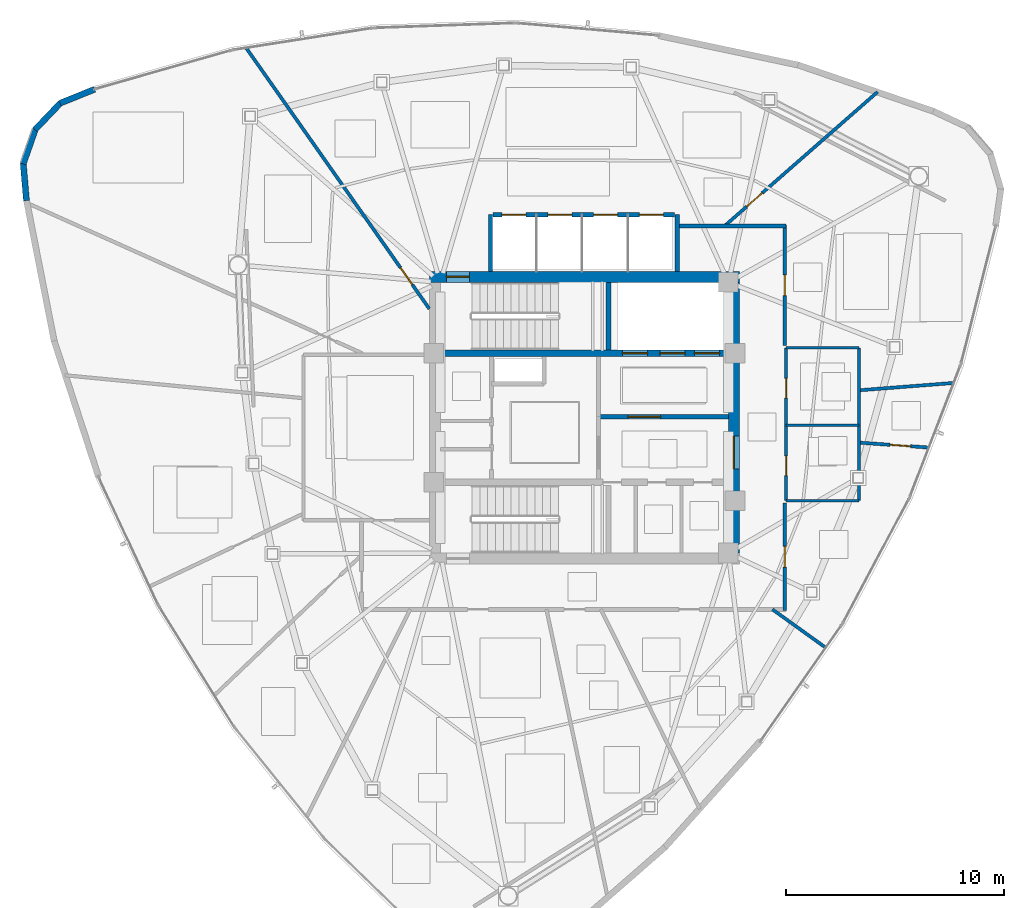
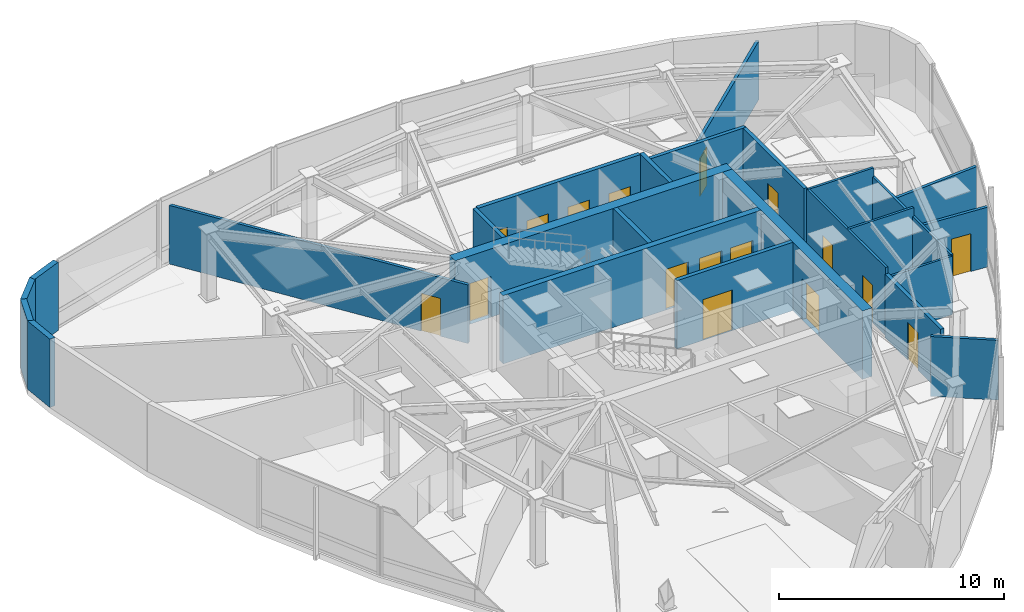
# One storey, part 9 of 12: 25 walls, 17 doors, 17 openings.
"""IFC4 building model written with IfcOpenShell, lengths in metres."""

from ifc_helpers import new_model, si_unit, direction, frame, frame_2d, origin, place, context, subcontext, project, spatial, rectangle, extrude, material, layer, layer_set, type_object, element, fill, save


model = new_model("IFC4")

# Units and contexts
model_context = context("Model", 3, precision=1e-05, world=origin(), true_north=direction((0.0, 1.0)))
body_context = subcontext(model_context, "Body", "Model", "MODEL_VIEW")
ifc_project = project(units=[si_unit("LENGTHUNIT", "METRE"), si_unit("AREAUNIT", "SQUARE_METRE"), si_unit("VOLUMEUNIT", "CUBIC_METRE"), si_unit("PLANEANGLEUNIT", "RADIAN"), si_unit("MASSUNIT", "GRAM", prefix="KILO")], contexts=[model_context])

# Site, building, storey
site_placement = place(None, origin())
site = spatial("IfcSite", under=ifc_project, at=site_placement, CompositionType="ELEMENT")
building_placement = place(site_placement, origin())
building = spatial("IfcBuilding", under=site, at=building_placement, Name="Tavelor Broadcast Tower", CompositionType="ELEMENT")
storey_placement = place(building_placement, frame((0.0, 0.0, 289.5)))
storey = spatial("IfcBuildingStorey", under=building, at=storey_placement, Name="L69", CompositionType="ELEMENT", Elevation=289.5)

# Wall, opening, door
ifc_material_1 = material(Name="Concrete C50/60", Category="concrete")
ifc_layer_1 = layer(ifc_material_1, 0.5)
ifc_layer_set_1 = layer_set([ifc_layer_1], Name="Concrete C50/60")
wall_type_1 = type_object("IfcWallType", Name="Core Shear Wall 500 mm", PredefinedType="SHEAR", material=ifc_layer_set_1)
wall_1_placement = place(storey_placement, frame((42.89990234375, 51.449951171875, 0.0), z_axis=(0.0, 0.0, 1.0), x_axis=(1.0, 0.0, 0.0)))
wall_1 = element("IfcWall", 1, at=wall_1_placement, inside=storey, type_object=wall_type_1, Name="L69 Central Core Shear Wall N", PredefinedType="SHEAR", context=body_context, shape_type="SweptSolid", body=[
    extrude(rectangle(XDim=14.2001953125, YDim=0.5, at=frame_2d((7.10009765625, 0.0))), origin(), (0.0, 0.0, 1.0), 3.699951171875),
])
opening_1_placement = place(wall_1_placement, frame((0.780029296875, 0.0, 0.0)))
opening_1 = element("IfcOpeningElement", 2, at=opening_1_placement, cuts=wall_1, Name="Opening DR11", PredefinedType="OPENING", context=body_context, shape_type="SweptSolid", body=[
    extrude(rectangle(XDim=1.050048828125, YDim=2.199951171875, at=frame_2d((0.52490234375, 1.10009765625))), frame((0.0, 0.260009765625, 0.0), z_axis=(0.0, -1.0, 0.0), x_axis=(1.0, 0.0, 0.0)), (0.0, 0.0, 1.0), 0.52001953125),
])
ifc_material_2 = material(Name="Steel S355", Category="steel")
door_type_1 = type_object("IfcDoorType", Name="Stair Core Fire Escape Door 1050x2200", OperationType="NOTDEFINED", PredefinedType="DOOR", material=ifc_material_2)
door_1_placement = place(opening_1_placement, origin())
door_1 = element("IfcDoor", 3, at=door_1_placement, inside=storey, type_object=door_type_1, Name="L69 Stair ST1 Protected Exit Door", OperationType="SINGLE_SWING_LEFT", OverallHeight=2.199951171875, OverallWidth=1.050048828125, PredefinedType="DOOR", context=body_context, shape_type="SweptSolid", body=[
    extrude(rectangle(XDim=1.050048828125, YDim=2.199951171875, at=frame_2d((0.52490234375, 1.10009765625))), frame((0.0, 0.02490234375, 0.0), z_axis=(0.0, -1.0, 0.0), x_axis=(1.0, 0.0, 0.0)), (0.0, 0.0, 1.0), 0.050048828125),
])
fill(opening_1, door_1)

wall_2_placement = place(storey_placement, frame((56.85009765625, 38.800048828125, 0.0), z_axis=(0.0, 0.0, 1.0), x_axis=(0.0, 1.0, 0.0)))
wall_2 = element("IfcWall", 4, at=wall_2_placement, inside=storey, type_object=wall_type_1, Name="L69 Central Core Shear Wall E", PredefinedType="SHEAR", context=body_context, shape_type="SweptSolid", body=[
    extrude(rectangle(XDim=12.39990234375, YDim=0.5, at=frame_2d((6.199951171875, 0.0))), origin(), (0.0, 0.0, 1.0), 3.699951171875),
])
opening_2_placement = place(wall_2_placement, frame((3.85009765625, 0.0, 0.0)))
opening_2 = element("IfcOpeningElement", 5, at=opening_2_placement, cuts=wall_2, Name="Opening DR14", PredefinedType="OPENING", context=body_context, shape_type="SweptSolid", body=[
    extrude(rectangle(XDim=1.5, YDim=2.199951171875, at=frame_2d((0.75, 1.10009765625))), frame((0.0, 0.260009765625, 0.0), z_axis=(0.0, -1.0, 0.0), x_axis=(1.0, 0.0, 0.0)), (0.0, 0.0, 1.0), 0.52001953125),
])
door_type_2 = type_object("IfcDoorType", Name="Firefighting Lobby Double Fire Door 1500x2200", OperationType="NOTDEFINED", PredefinedType="DOOR", material=ifc_material_2)
door_2_placement = place(opening_2_placement, origin())
door_2 = element("IfcDoor", 6, at=door_2_placement, inside=storey, type_object=door_type_2, Name="L69 Central Core Lobby Fire Door", OperationType="SINGLE_SWING_RIGHT", OverallHeight=2.199951171875, OverallWidth=1.5, PredefinedType="DOOR", context=body_context, shape_type="SweptSolid", body=[
    extrude(rectangle(XDim=1.5, YDim=2.199951171875, at=frame_2d((0.75, 1.10009765625))), frame((0.0, 0.02490234375, 0.0), z_axis=(0.0, -1.0, 0.0), x_axis=(1.0, 0.0, 0.0)), (0.0, 0.0, 1.0), 0.050048828125),
])
fill(opening_2, door_2)

# Wall, openings, doors
ifc_layer_2 = layer(ifc_material_1, 0.300048828125)
ifc_layer_set_2 = layer_set([ifc_layer_2], Name="Concrete C50/60")
wall_type_2 = type_object("IfcWallType", Name="Core Spine Shear Wall 300 mm C50", PredefinedType="SHEAR", material=ifc_layer_set_2)
wall_3_placement = place(storey_placement, frame((43.39990234375, 47.949951171875, 0.0), z_axis=(0.0, 0.0, 1.0), x_axis=(1.0, 0.0, 0.0)))
wall_3 = element("IfcWall", 7, at=wall_3_placement, inside=storey, type_object=wall_type_2, Name="L69 Central Core Shear Wall SP1", PredefinedType="SHEAR", context=body_context, shape_type="SweptSolid", body=[
    extrude(rectangle(XDim=13.2001953125, YDim=0.300048828125, at=frame_2d((6.60009765625, 0.0))), origin(), (0.0, 0.0, 1.0), 3.699951171875),
])
opening_3_placement = place(wall_3_placement, frame((8.344970703125, 0.0, 0.0)))
opening_3 = element("IfcOpeningElement", 8, at=opening_3_placement, cuts=wall_3, Name="Opening LD02", PredefinedType="OPENING", context=body_context, shape_type="SweptSolid", body=[
    extrude(rectangle(XDim=1.14990234375, YDim=2.199951171875, at=frame_2d((0.574951171875, 1.10009765625))), frame((0.0, 0.16015625, 0.0), z_axis=(0.0, -1.0, 0.0), x_axis=(1.0, 0.0, 0.0)), (0.0, 0.0, 1.0), 0.320068359375),
])
opening_4_placement = place(wall_3_placement, frame((10.06494140625, 0.0, 0.0)))
opening_4 = element("IfcOpeningElement", 9, at=opening_4_placement, cuts=wall_3, Name="Opening LD02", PredefinedType="OPENING", context=body_context, shape_type="SweptSolid", body=[
    extrude(rectangle(XDim=1.14990234375, YDim=2.199951171875, at=frame_2d((0.574951171875, 1.10009765625))), frame((0.0, 0.16015625, 0.0), z_axis=(0.0, -1.0, 0.0), x_axis=(1.0, 0.0, 0.0)), (0.0, 0.0, 1.0), 0.320068359375),
])
opening_5_placement = place(wall_3_placement, frame((11.64501953125, 0.0, 0.0)))
opening_5 = element("IfcOpeningElement", 10, at=opening_5_placement, cuts=wall_3, Name="Opening LD03", PredefinedType="OPENING", context=body_context, shape_type="SweptSolid", body=[
    extrude(rectangle(XDim=1.14990234375, YDim=2.199951171875, at=frame_2d((0.574951171875, 1.10009765625))), frame((0.0, 0.16015625, 0.0), z_axis=(0.0, -1.0, 0.0), x_axis=(1.0, 0.0, 0.0)), (0.0, 0.0, 1.0), 0.320068359375),
])
ifc_material_3 = material(Name="Reinforced Brushed Stainless Steel", Category="concrete")
door_type_3 = type_object("IfcDoorType", Name="Broadcast Goods Lift Sliding Landing Door 1250x2200", OperationType="NOTDEFINED", PredefinedType="DOOR", material=ifc_material_3)
door_3_placement = place(opening_5_placement, origin())
door_3 = element("IfcDoor", 11, at=door_3_placement, inside=storey, type_object=door_type_3, Name="L69 Lift SVL1 Sliding Landing Door", OperationType="SLIDING_TO_LEFT", OverallHeight=2.199951171875, OverallWidth=1.14990234375, PredefinedType="DOOR", context=body_context, shape_type="SweptSolid", body=[
    extrude(rectangle(XDim=1.14990234375, YDim=2.199951171875, at=frame_2d((0.574951171875, 1.10009765625))), frame((0.0, 0.02490234375, 0.0), z_axis=(0.0, -1.0, 0.0), x_axis=(1.0, 0.0, 0.0)), (0.0, 0.0, 1.0), 0.050048828125),
])
fill(opening_5, door_3)
ifc_material_4 = material(Name="Fire-Rated Stainless Steel", Category="steel")
door_type_4 = type_object("IfcDoorType", Name="Firefighting Lift Sliding Landing Door 1200x2200", OperationType="NOTDEFINED", PredefinedType="DOOR", material=ifc_material_4)
door_4_placement = place(opening_3_placement, origin())
door_4 = element("IfcDoor", 12, at=door_4_placement, inside=storey, type_object=door_type_4, Name="L69 Lift FFL1 Sliding Landing Door", OperationType="SLIDING_TO_LEFT", OverallHeight=2.199951171875, OverallWidth=1.14990234375, PredefinedType="DOOR", context=body_context, shape_type="SweptSolid", body=[
    extrude(rectangle(XDim=1.14990234375, YDim=2.199951171875, at=frame_2d((0.574951171875, 1.10009765625))), frame((0.0, 0.02490234375, 0.0), z_axis=(0.0, -1.0, 0.0), x_axis=(1.0, 0.0, 0.0)), (0.0, 0.0, 1.0), 0.050048828125),
])
fill(opening_3, door_4)
door_5_placement = place(opening_4_placement, origin())
door_5 = element("IfcDoor", 13, at=door_5_placement, inside=storey, type_object=door_type_4, Name="L69 Lift FFL2 Sliding Landing Door", OperationType="SLIDING_TO_LEFT", OverallHeight=2.199951171875, OverallWidth=1.14990234375, PredefinedType="DOOR", context=body_context, shape_type="SweptSolid", body=[
    extrude(rectangle(XDim=1.14990234375, YDim=2.199951171875, at=frame_2d((0.574951171875, 1.10009765625))), frame((0.0, 0.02490234375, 0.0), z_axis=(0.0, -1.0, 0.0), x_axis=(1.0, 0.0, 0.0)), (0.0, 0.0, 1.0), 0.050048828125),
])
fill(opening_4, door_5)

# Wall
ifc_material_5 = material(Name="Calcium Silicate Fire Board 180 mm", Category="gypsum")
ifc_layer_3 = layer(ifc_material_5, 0.179931640625)
ifc_layer_set_3 = layer_set([ifc_layer_3], Name="Calcium Silicate Fire Board 180 mm")
wall_type_3 = type_object("IfcWallType", Name="Fire-Rated Corridor Partition Wall 180 mm", PredefinedType="PARTITIONING", material=ifc_layer_set_3)
wall_4_placement = place(storey_placement, frame((54.300048828125, 53.780029296875, 0.0), z_axis=(0.0, 0.0, 1.0), x_axis=(1.0, 0.0, 0.0)))
element("IfcWall", 14, at=wall_4_placement, inside=storey, type_object=wall_type_3, Name="L69 Corridor Compartment Wall 01", PredefinedType="PARTITIONING", context=body_context, shape_type="SweptSolid", body=[
    extrude(rectangle(XDim=4.929931640625, YDim=0.179931640625, at=frame_2d((2.46484375, 0.0))), origin(), (0.0, 0.0, 1.0), 3.699951171875),
])

# Wall, opening, door
wall_5_placement = place(storey_placement, frame((59.179931640625, 53.830078125, 0.0), z_axis=(0.0, 0.0, 1.0), x_axis=(0.0, -1.0, 0.0)))
wall_5 = element("IfcWall", 15, at=wall_5_placement, inside=storey, type_object=wall_type_3, Name="L69 Corridor Compartment Wall 02", PredefinedType="PARTITIONING", context=body_context, shape_type="SweptSolid", body=[
    extrude(rectangle(XDim=5.530029296875, YDim=0.179931640625, at=frame_2d((2.76513671875, 0.0))), origin(), (0.0, 0.0, 1.0), 3.699951171875),
])
opening_6_placement = place(wall_5_placement, frame((2.2900390625, 0.0, 0.0)))
opening_6 = element("IfcOpeningElement", 16, at=opening_6_placement, cuts=wall_5, Name="Opening DR18", PredefinedType="OPENING", context=body_context, shape_type="SweptSolid", body=[
    extrude(rectangle(XDim=0.949951171875, YDim=2.050048828125, at=frame_2d((0.47509765625, 1.02490234375))), frame((0.0, 0.10009765625, 0.0), z_axis=(0.0, -1.0, 0.0), x_axis=(1.0, 0.0, 0.0)), (0.0, 0.0, 1.0), 0.199951171875),
])
ifc_material_6 = material(Name="Timber Solid Core Hardwood", Category="wood")
door_type_5 = type_object("IfcDoorType", Name="Corridor Rated Compartment Door 950x2050", OperationType="NOTDEFINED", PredefinedType="DOOR", material=ifc_material_6)
door_6_placement = place(opening_6_placement, origin())
door_6 = element("IfcDoor", 17, at=door_6_placement, inside=storey, type_object=door_type_5, Name="L69 Broadcast Crew Room Door R10", OperationType="SINGLE_SWING_RIGHT", OverallHeight=2.050048828125, OverallWidth=0.949951171875, PredefinedType="DOOR", context=body_context, shape_type="SweptSolid", body=[
    extrude(rectangle(XDim=0.949951171875, YDim=2.050048828125, at=frame_2d((0.47509765625, 1.02490234375))), frame((0.0, 0.02490234375, 0.0), z_axis=(0.0, -1.0, 0.0), x_axis=(1.0, 0.0, 0.0)), (0.0, 0.0, 1.0), 0.050048828125),
])
fill(opening_6, door_6)

wall_6_placement = place(storey_placement, frame((59.179931640625, 41.10009765625, 0.0), z_axis=(0.0, 0.0, 1.0), x_axis=(0.0, -1.0, 0.0)))
wall_6 = element("IfcWall", 18, at=wall_6_placement, inside=storey, type_object=wall_type_3, Name="L69 Corridor Compartment Wall 03", PredefinedType="PARTITIONING", context=body_context, shape_type="SweptSolid", body=[
    extrude(rectangle(XDim=4.93017578125, YDim=0.179931640625, at=frame_2d((2.465087890625, 0.0))), origin(), (0.0, 0.0, 1.0), 3.43505859375),
])
opening_7_placement = place(wall_6_placement, frame((1.989990234375, 0.0, 0.0)))
opening_7 = element("IfcOpeningElement", 19, at=opening_7_placement, cuts=wall_6, Name="Opening DR18", PredefinedType="OPENING", context=body_context, shape_type="SweptSolid", body=[
    extrude(rectangle(XDim=0.949951171875, YDim=2.050048828125, at=frame_2d((0.47509765625, 1.02490234375))), frame((0.0, 0.10009765625, 0.0), z_axis=(0.0, -1.0, 0.0), x_axis=(1.0, 0.0, 0.0)), (0.0, 0.0, 1.0), 0.199951171875),
])
door_7_placement = place(opening_7_placement, origin())
door_7 = element("IfcDoor", 20, at=door_7_placement, inside=storey, type_object=door_type_5, Name="L69 Broadcast Editorial Office Door R0", OperationType="SINGLE_SWING_LEFT", OverallHeight=2.050048828125, OverallWidth=0.949951171875, PredefinedType="DOOR", context=body_context, shape_type="SweptSolid", body=[
    extrude(rectangle(XDim=0.949951171875, YDim=2.050048828125, at=frame_2d((0.47509765625, 1.02490234375))), frame((0.0, 0.02490234375, 0.0), z_axis=(0.0, -1.0, 0.0), x_axis=(1.0, 0.0, 0.0)), (0.0, 0.0, 1.0), 0.050048828125),
])
fill(opening_7, door_7)

# Walls
ifc_material_7 = material(Name="Precast Concrete C40/50", Category="concrete")
ifc_layer_4 = layer(ifc_material_7, 0.280029296875)
ifc_layer_set_4 = layer_set([ifc_layer_4], Name="Precast Concrete C40/50")
wall_type_4 = type_object("IfcWallType", Name="Insulated Precast Terracotta Facade Wall 280 mm", PredefinedType="STANDARD", material=ifc_layer_set_4)
wall_7_placement = place(storey_placement, frame((27.56494140625, 60.0458984375, 0.0), z_axis=(0.0, 0.0, 1.0), x_axis=(-0.92687925462, -0.375359624034, 0.0)))
element("IfcWall", 21, at=wall_7_placement, inside=storey, type_object=wall_type_4, Name="L69 Rounded Corner Structural Cladding Pier 01", PredefinedType="STANDARD", context=body_context, shape_type="SweptSolid", body=[
    extrude(rectangle(XDim=1.7060546875, YDim=0.280029296875, at=frame_2d((0.85302734375, 0.0))), origin(), (0.0, 0.0, 1.0), 3.699951171875),
])
for number, where, z_axis, x_axis, name in (
    (22, (26.0078125, 59.421875, 0.0), (0.0, 0.0, 1.0), (-0.690194678678, -0.723623732008, 0.0), "L69 Rounded Corner Structural Cladding Pier 02"),
    (23, (24.853515625, 58.220703125, 0.0), (0.0, 0.0, 1.0), (-0.331402801072, -0.943489365834, 0.0), "L69 Rounded Corner Structural Cladding Pier 03"),
):
    element("IfcWall", number, at=place(storey_placement, frame(where, z_axis=z_axis, x_axis=x_axis)), inside=storey, type_object=wall_type_4, Name=name, PredefinedType="STANDARD", context=body_context, shape_type="SweptSolid", body=[
        extrude(rectangle(XDim=1.6943359375, YDim=0.280029296875, at=frame_2d((0.84716796875, 0.0))), origin(), (0.0, 0.0, 1.0), 3.699951171875),
    ])
wall_8_placement = place(storey_placement, frame((24.2958984375, 56.651123046875, 0.0), z_axis=(0.0, 0.0, 1.0), x_axis=(0.086175515614, -0.996279970946, 0.0)))
element("IfcWall", 24, at=wall_8_placement, inside=storey, type_object=wall_type_4, Name="L69 Rounded Corner Structural Cladding Pier 04", PredefinedType="STANDARD", context=body_context, shape_type="SweptSolid", body=[
    extrude(rectangle(XDim=1.716796875, YDim=0.280029296875, at=frame_2d((0.8583984375, 0.0))), origin(), (0.0, 0.0, 1.0), 3.699951171875),
])
ifc_material_8 = material(Name="Gypsum Acoustic Plasterboard 150 mm", Category="gypsum")
ifc_layer_5 = layer(ifc_material_8, 0.14990234375)
ifc_layer_set_5 = layer_set([ifc_layer_5], Name="Gypsum Acoustic Plasterboard 150 mm")
wall_type_5 = type_object("IfcWallType", Name="Interior Acoustic Partition Wall 150 mm", PredefinedType="PARTITIONING", material=ifc_layer_set_5)
wall_9_placement = place(storey_placement, frame((58.614990234375, 36.219970703125, 0.0), z_axis=(0.0, 0.0, 1.0), x_axis=(0.812014173655, -0.583637714497, 0.0)))
element("IfcWall", 25, at=wall_9_placement, inside=storey, type_object=wall_type_5, Name="L69 Radial Compartment Wall 07", PredefinedType="PARTITIONING", context=body_context, shape_type="SweptSolid", body=[
    extrude(rectangle(XDim=3.01904296875, YDim=0.14990234375, at=frame_2d((1.509521484375, 0.0))), origin(), (0.0, 0.0, 1.0), 3.235107421875),
])

# Wall, opening, door
wall_10_placement = place(storey_placement, frame((62.64990234375, 43.852783203125, 0.0), z_axis=(0.0, 0.0, 1.0), x_axis=(0.99752125107, -0.070365855809, 0.0)))
wall_10 = element("IfcWall", 26, at=wall_10_placement, inside=storey, type_object=wall_type_5, Name="L69 Radial Compartment Wall 08", PredefinedType="PARTITIONING", context=body_context, shape_type="SweptSolid", body=[
    extrude(rectangle(XDim=3.150390625, YDim=0.14990234375, at=frame_2d((1.5751953125, 0.0))), origin(), (0.0, 0.0, 1.0), 3.235107421875),
])
opening_8_placement = place(wall_10_placement, frame((1.35009765625, 0.0, 0.0)))
opening_8 = element("IfcOpeningElement", 27, at=opening_8_placement, cuts=wall_10, Name="Opening DR18", PredefinedType="OPENING", context=body_context, shape_type="SweptSolid", body=[
    extrude(rectangle(XDim=0.949951171875, YDim=2.050048828125, at=frame_2d((0.47509765625, 1.02490234375))), frame((0.0, 0.0849609375, 0.0), z_axis=(0.0, -1.0, 0.0), x_axis=(1.0, 0.0, 0.0)), (0.0, 0.0, 1.0), 0.169921875),
])
door_8_placement = place(opening_8_placement, origin())
door_8 = element("IfcDoor", 28, at=door_8_placement, inside=storey, type_object=door_type_5, Name="L69 Suite Connecting Door 11", OperationType="SINGLE_SWING_RIGHT", OverallHeight=2.050048828125, OverallWidth=0.949951171875, PredefinedType="DOOR", context=body_context, shape_type="SweptSolid", body=[
    extrude(rectangle(XDim=0.949951171875, YDim=2.050048828125, at=frame_2d((0.47509765625, 1.02490234375))), frame((0.0, 0.02490234375, 0.0), z_axis=(0.0, -1.0, 0.0), x_axis=(1.0, 0.0, 0.0)), (0.0, 0.0, 1.0), 0.050048828125),
])
fill(opening_8, door_8)

# Wall
wall_11_placement = place(storey_placement, frame((62.64990234375, 46.260009765625, 0.0), z_axis=(0.0, 0.0, 1.0), x_axis=(0.997009525898, 0.07727875044, 0.0)))
element("IfcWall", 29, at=wall_11_placement, inside=storey, type_object=wall_type_5, Name="L69 Radial Compartment Wall 09", PredefinedType="PARTITIONING", context=body_context, shape_type="SweptSolid", body=[
    extrude(rectangle(XDim=4.296630859375, YDim=0.14990234375, at=frame_2d((2.1484375, 0.0))), origin(), (0.0, 0.0, 1.0), 3.235107421875),
])

# Wall, opening, door
wall_12_placement = place(storey_placement, frame((56.421630859375, 53.780029296875, 0.0), z_axis=(0.0, 0.0, 1.0), x_axis=(0.75216949105, 0.658969693335, 0.0)))
wall_12 = element("IfcWall", 30, at=wall_12_placement, inside=storey, type_object=wall_type_5, Name="L69 Radial Compartment Wall 10", PredefinedType="PARTITIONING", context=body_context, shape_type="SweptSolid", body=[
    extrude(rectangle(XDim=9.32568359375, YDim=0.14990234375, at=frame_2d((4.662841796875, 0.0))), origin(), (0.0, 0.0, 1.0), 3.175048828125),
])
opening_9_placement = place(wall_12_placement, frame((1.35009765625, 0.0, 0.0)))
opening_9 = element("IfcOpeningElement", 31, at=opening_9_placement, cuts=wall_12, Name="Opening DR18", PredefinedType="OPENING", context=body_context, shape_type="SweptSolid", body=[
    extrude(rectangle(XDim=0.949951171875, YDim=2.050048828125, at=frame_2d((0.47509765625, 1.02490234375))), frame((0.0, 0.0849609375, 0.0), z_axis=(0.0, -1.0, 0.0), x_axis=(1.0, 0.0, 0.0)), (0.0, 0.0, 1.0), 0.169921875),
])
door_9_placement = place(opening_9_placement, origin())
door_9 = element("IfcDoor", 32, at=door_9_placement, inside=storey, type_object=door_type_5, Name="L69 Suite Connecting Door 9", OperationType="SINGLE_SWING_LEFT", OverallHeight=2.050048828125, OverallWidth=0.949951171875, PredefinedType="DOOR", context=body_context, shape_type="SweptSolid", body=[
    extrude(rectangle(XDim=0.949951171875, YDim=2.050048828125, at=frame_2d((0.47509765625, 1.02490234375))), frame((0.0, 0.02490234375, 0.0), z_axis=(0.0, -1.0, 0.0), x_axis=(1.0, 0.0, 0.0)), (0.0, 0.0, 1.0), 0.050048828125),
])
fill(opening_9, door_9)

wall_13_placement = place(storey_placement, frame((42.89990234375, 49.986083984375, 0.0), z_axis=(0.0, 0.0, 1.0), x_axis=(-0.574525899254, 0.818486402505, 0.0)))
wall_13 = element("IfcWall", 33, at=wall_13_placement, inside=storey, type_object=wall_type_5, Name="L69 Radial Compartment Wall 11", PredefinedType="PARTITIONING", context=body_context, shape_type="SweptSolid", body=[
    extrude(rectangle(XDim=14.61376953125, YDim=0.14990234375, at=frame_2d((7.306884765625, 0.0))), origin(), (0.0, 0.0, 1.0), 3.175048828125),
])
opening_10_placement = place(wall_13_placement, frame((1.35009765625, 0.0, 0.0)))
opening_10 = element("IfcOpeningElement", 34, at=opening_10_placement, cuts=wall_13, Name="Opening DR18", PredefinedType="OPENING", context=body_context, shape_type="SweptSolid", body=[
    extrude(rectangle(XDim=0.949951171875, YDim=2.050048828125, at=frame_2d((0.47509765625, 1.02490234375))), frame((0.0, 0.0849609375, 0.0), z_axis=(0.0, -1.0, 0.0), x_axis=(1.0, 0.0, 0.0)), (0.0, 0.0, 1.0), 0.169921875),
])
door_10_placement = place(opening_10_placement, origin())
door_10 = element("IfcDoor", 35, at=door_10_placement, inside=storey, type_object=door_type_5, Name="L69 Suite Connecting Door 8", OperationType="SINGLE_SWING_RIGHT", OverallHeight=2.050048828125, OverallWidth=0.949951171875, PredefinedType="DOOR", context=body_context, shape_type="SweptSolid", body=[
    extrude(rectangle(XDim=0.949951171875, YDim=2.050048828125, at=frame_2d((0.47509765625, 1.02490234375))), frame((0.0, 0.02490234375, 0.0), z_axis=(0.0, -1.0, 0.0), x_axis=(1.0, 0.0, 0.0)), (0.0, 0.0, 1.0), 0.050048828125),
])
fill(opening_10, door_10)

# Wall, openings, doors
ifc_material_9 = material(Name="Concrete Blockwork 200 mm", Category="masonry")
ifc_layer_6 = layer(ifc_material_9, 0.199951171875)
ifc_layer_set_6 = layer_set([ifc_layer_6], Name="Concrete Blockwork 200 mm")
wall_type_6 = type_object("IfcWallType", Name="Lift Hoistway Rated Front Wall 200 mm", PredefinedType="PARTITIONING", material=ifc_layer_set_6)
wall_14_placement = place(storey_placement, frame((45.820068359375, 54.300048828125, 0.0), z_axis=(0.0, 0.0, 1.0), x_axis=(1.0, 0.0, 0.0)))
wall_14 = element("IfcWall", 36, at=wall_14_placement, inside=storey, type_object=wall_type_6, Name="L69 High-Rise Lift Hoistway Front Wall", PredefinedType="PARTITIONING", context=body_context, shape_type="SweptSolid", body=[
    extrude(rectangle(XDim=8.309814453125, YDim=0.199951171875, at=frame_2d((4.15478515625, 0.0))), origin(), (0.0, 0.0, 1.0), 3.699951171875),
])
opening_11_placement = place(wall_14_placement, frame((0.405029296875, 0.0, 0.0)))
opening_11 = element("IfcOpeningElement", 37, at=opening_11_placement, cuts=wall_14, Name="Opening LD01", PredefinedType="OPENING", context=body_context, shape_type="SweptSolid", body=[
    extrude(rectangle(XDim=1.10009765625, YDim=2.14990234375, at=frame_2d((0.550048828125, 1.074951171875))), frame((0.0, 0.10986328125, 0.0), z_axis=(0.0, -1.0, 0.0), x_axis=(1.0, 0.0, 0.0)), (0.0, 0.0, 1.0), 0.219970703125),
])
opening_12_placement = place(wall_14_placement, frame((2.5048828125, 0.0, 0.0)))
opening_12 = element("IfcOpeningElement", 38, at=opening_12_placement, cuts=wall_14, Name="Opening LD01", PredefinedType="OPENING", context=body_context, shape_type="SweptSolid", body=[
    extrude(rectangle(XDim=1.10009765625, YDim=2.14990234375, at=frame_2d((0.550048828125, 1.074951171875))), frame((0.0, 0.10986328125, 0.0), z_axis=(0.0, -1.0, 0.0), x_axis=(1.0, 0.0, 0.0)), (0.0, 0.0, 1.0), 0.219970703125),
])
opening_13_placement = place(wall_14_placement, frame((4.60498046875, 0.0, 0.0)))
opening_13 = element("IfcOpeningElement", 39, at=opening_13_placement, cuts=wall_14, Name="Opening LD01", PredefinedType="OPENING", context=body_context, shape_type="SweptSolid", body=[
    extrude(rectangle(XDim=1.10009765625, YDim=2.14990234375, at=frame_2d((0.550048828125, 1.074951171875))), frame((0.0, 0.10986328125, 0.0), z_axis=(0.0, -1.0, 0.0), x_axis=(1.0, 0.0, 0.0)), (0.0, 0.0, 1.0), 0.219970703125),
])
opening_14_placement = place(wall_14_placement, frame((6.705078125, 0.0, 0.0)))
opening_14 = element("IfcOpeningElement", 40, at=opening_14_placement, cuts=wall_14, Name="Opening LD01", PredefinedType="OPENING", context=body_context, shape_type="SweptSolid", body=[
    extrude(rectangle(XDim=1.10009765625, YDim=2.14990234375, at=frame_2d((0.550048828125, 1.074951171875))), frame((0.0, 0.10986328125, 0.0), z_axis=(0.0, -1.0, 0.0), x_axis=(1.0, 0.0, 0.0)), (0.0, 0.0, 1.0), 0.219970703125),
])
ifc_material_10 = material(Name="Brushed Stainless Steel", Category="steel")
door_type_6 = type_object("IfcDoorType", Name="Passenger Lift Sliding Landing Door 1100x2150", OperationType="NOTDEFINED", PredefinedType="DOOR", material=ifc_material_10)
door_11_placement = place(opening_11_placement, origin())
door_11 = element("IfcDoor", 41, at=door_11_placement, inside=storey, type_object=door_type_6, Name="L69 Lift PLH1 Sliding Landing Door", OperationType="SLIDING_TO_LEFT", OverallHeight=2.14990234375, OverallWidth=1.10009765625, PredefinedType="DOOR", context=body_context, shape_type="SweptSolid", body=[
    extrude(rectangle(XDim=1.10009765625, YDim=2.14990234375, at=frame_2d((0.550048828125, 1.074951171875))), frame((0.0, 0.02490234375, 0.0), z_axis=(0.0, -1.0, 0.0), x_axis=(1.0, 0.0, 0.0)), (0.0, 0.0, 1.0), 0.050048828125),
])
fill(opening_11, door_11)
door_12_placement = place(opening_12_placement, origin())
door_12 = element("IfcDoor", 42, at=door_12_placement, inside=storey, type_object=door_type_6, Name="L69 Lift PLH2 Sliding Landing Door", OperationType="SLIDING_TO_RIGHT", OverallHeight=2.14990234375, OverallWidth=1.10009765625, PredefinedType="DOOR", context=body_context, shape_type="SweptSolid", body=[
    extrude(rectangle(XDim=1.10009765625, YDim=2.14990234375, at=frame_2d((0.550048828125, 1.074951171875))), frame((0.0, 0.02490234375, 0.0), z_axis=(0.0, -1.0, 0.0), x_axis=(1.0, 0.0, 0.0)), (0.0, 0.0, 1.0), 0.050048828125),
])
fill(opening_12, door_12)
door_13_placement = place(opening_13_placement, origin())
door_13 = element("IfcDoor", 43, at=door_13_placement, inside=storey, type_object=door_type_6, Name="L69 Lift PLH3 Sliding Landing Door", OperationType="SLIDING_TO_LEFT", OverallHeight=2.14990234375, OverallWidth=1.10009765625, PredefinedType="DOOR", context=body_context, shape_type="SweptSolid", body=[
    extrude(rectangle(XDim=1.10009765625, YDim=2.14990234375, at=frame_2d((0.550048828125, 1.074951171875))), frame((0.0, 0.02490234375, 0.0), z_axis=(0.0, -1.0, 0.0), x_axis=(1.0, 0.0, 0.0)), (0.0, 0.0, 1.0), 0.050048828125),
])
fill(opening_13, door_13)
door_14_placement = place(opening_14_placement, origin())
door_14 = element("IfcDoor", 44, at=door_14_placement, inside=storey, type_object=door_type_6, Name="L69 Lift PLH4 Sliding Landing Door", OperationType="SLIDING_TO_RIGHT", OverallHeight=2.14990234375, OverallWidth=1.10009765625, PredefinedType="DOOR", context=body_context, shape_type="SweptSolid", body=[
    extrude(rectangle(XDim=1.10009765625, YDim=2.14990234375, at=frame_2d((0.550048828125, 1.074951171875))), frame((0.0, 0.02490234375, 0.0), z_axis=(0.0, -1.0, 0.0), x_axis=(1.0, 0.0, 0.0)), (0.0, 0.0, 1.0), 0.050048828125),
])
fill(opening_14, door_14)

# Walls
ifc_layer_7 = layer(ifc_material_9, 0.199951171875)
ifc_layer_set_7 = layer_set([ifc_layer_7], Name="Concrete Blockwork 200 mm")
wall_type_7 = type_object("IfcWallType", Name="Lift and Riser Shaft Enclosure Wall 200 mm", PredefinedType="PARTITIONING", material=ifc_layer_set_7)
for number, where, z_axis, x_axis, name in (
    (45, (45.699951171875, 51.699951171875, 0.0), (0.0, 0.0, 1.0), (0.0, 1.0, 0.0), "L69 High-Rise Lift Shaft West Wall"),
    (46, (54.25, 51.699951171875, 0.0), (0.0, 0.0, 1.0), (0.0, 1.0, 0.0), "L69 High-Rise Lift Shaft East Wall"),
):
    element("IfcWall", number, at=place(storey_placement, frame(where, z_axis=z_axis, x_axis=x_axis)), inside=storey, type_object=wall_type_7, Name=name, PredefinedType="PARTITIONING", context=body_context, shape_type="SweptSolid", body=[
        extrude(rectangle(XDim=2.60009765625, YDim=0.199951171875, at=frame_2d((1.300048828125, 0.0))), origin(), (0.0, 0.0, 1.0), 3.699951171875),
    ])

# Wall, opening, door
wall_15_placement = place(storey_placement, frame((50.64990234375, 45.050048828125, 0.0), z_axis=(0.0, 0.0, 1.0), x_axis=(1.0, 0.0, 0.0)))
wall_15 = element("IfcWall", 47, at=wall_15_placement, inside=storey, type_object=wall_type_7, Name="L69 Firefighting Lobby South Wall", PredefinedType="PARTITIONING", context=body_context, shape_type="SweptSolid", body=[
    extrude(rectangle(XDim=5.9501953125, YDim=0.199951171875, at=frame_2d((2.97509765625, 0.0))), origin(), (0.0, 0.0, 1.0), 3.699951171875),
])
opening_15_placement = place(wall_15_placement, frame((1.35009765625, 0.0, 0.0)))
opening_15 = element("IfcOpeningElement", 48, at=opening_15_placement, cuts=wall_15, Name="Opening DR14", PredefinedType="OPENING", context=body_context, shape_type="SweptSolid", body=[
    extrude(rectangle(XDim=1.5, YDim=2.199951171875, at=frame_2d((0.75, 1.10009765625))), frame((0.0, 0.10986328125, 0.0), z_axis=(0.0, -1.0, 0.0), x_axis=(1.0, 0.0, 0.0)), (0.0, 0.0, 1.0), 0.219970703125),
])
door_15_placement = place(opening_15_placement, origin())
door_15 = element("IfcDoor", 49, at=door_15_placement, inside=storey, type_object=door_type_2, Name="L69 Firefighting Lobby Compartment Door", OperationType="SINGLE_SWING_LEFT", OverallHeight=2.199951171875, OverallWidth=1.5, PredefinedType="DOOR", context=body_context, shape_type="SweptSolid", body=[
    extrude(rectangle(XDim=1.5, YDim=2.199951171875, at=frame_2d((0.75, 1.10009765625))), frame((0.0, 0.02490234375, 0.0), z_axis=(0.0, -1.0, 0.0), x_axis=(1.0, 0.0, 0.0)), (0.0, 0.0, 1.0), 0.050048828125),
])
fill(opening_15, door_15)

# Wall, openings, doors
ifc_material_11 = material(Name="Moisture-Resistant Plasterboard 120 mm", Category="gypsum")
ifc_layer_8 = layer(ifc_material_11, 0.1201171875)
ifc_layer_set_8 = layer_set([ifc_layer_8], Name="Moisture-Resistant Plasterboard 120 mm")
wall_type_8 = type_object("IfcWallType", Name="Moisture-Resistant Wet-Room Partition 120 mm", PredefinedType="PARTITIONING", material=ifc_layer_set_8)
wall_16_placement = place(storey_placement, frame((59.239990234375, 41.199951171875, 0.0), z_axis=(0.0, 0.0, 1.0), x_axis=(0.0, 1.0, 0.0)))
wall_16 = element("IfcWall", 50, at=wall_16_placement, inside=storey, type_object=wall_type_8, Name="L69 Floor Washrooms West Wall", PredefinedType="PARTITIONING", context=body_context, shape_type="SweptSolid", body=[
    extrude(rectangle(XDim=7.0, YDim=0.1201171875, at=frame_2d((3.5, 0.0))), origin(), (0.0, 0.0, 1.0), 3.699951171875),
])
opening_16_placement = place(wall_16_placement, frame((1.14990234375, 0.0, 0.0)))
opening_16 = element("IfcOpeningElement", 51, at=opening_16_placement, cuts=wall_16, Name="Opening DR32", PredefinedType="OPENING", context=body_context, shape_type="SweptSolid", body=[
    extrude(rectangle(XDim=0.89990234375, YDim=2.050048828125, at=frame_2d((0.449951171875, 1.02490234375))), frame((0.0, 0.070068359375, 0.0), z_axis=(0.0, -1.0, 0.0), x_axis=(1.0, 0.0, 0.0)), (0.0, 0.0, 1.0), 0.14013671875),
])
opening_17_placement = place(wall_16_placement, frame((4.699951171875, 0.0, 0.0)))
opening_17 = element("IfcOpeningElement", 52, at=opening_17_placement, cuts=wall_16, Name="Opening DR32", PredefinedType="OPENING", context=body_context, shape_type="SweptSolid", body=[
    extrude(rectangle(XDim=0.89990234375, YDim=2.050048828125, at=frame_2d((0.449951171875, 1.02490234375))), frame((0.0, 0.070068359375, 0.0), z_axis=(0.0, -1.0, 0.0), x_axis=(1.0, 0.0, 0.0)), (0.0, 0.0, 1.0), 0.14013671875),
])
door_type_7 = type_object("IfcDoorType", Name="Accessible Washroom Door 900x2050", OperationType="NOTDEFINED", PredefinedType="DOOR", material=ifc_material_6)
door_16_placement = place(opening_16_placement, origin())
door_16 = element("IfcDoor", 53, at=door_16_placement, inside=storey, type_object=door_type_7, Name="L69 Accessible WC Door", OperationType="SINGLE_SWING_LEFT", OverallHeight=2.050048828125, OverallWidth=0.89990234375, PredefinedType="DOOR", context=body_context, shape_type="SweptSolid", body=[
    extrude(rectangle(XDim=0.89990234375, YDim=2.050048828125, at=frame_2d((0.449951171875, 1.02490234375))), frame((0.0, 0.02490234375, 0.0), z_axis=(0.0, -1.0, 0.0), x_axis=(1.0, 0.0, 0.0)), (0.0, 0.0, 1.0), 0.050048828125),
])
fill(opening_16, door_16)
door_17_placement = place(opening_17_placement, origin())
door_17 = element("IfcDoor", 54, at=door_17_placement, inside=storey, type_object=door_type_7, Name="L69 Staff Washroom WC Door", OperationType="SINGLE_SWING_RIGHT", OverallHeight=2.050048828125, OverallWidth=0.89990234375, PredefinedType="DOOR", context=body_context, shape_type="SweptSolid", body=[
    extrude(rectangle(XDim=0.89990234375, YDim=2.050048828125, at=frame_2d((0.449951171875, 1.02490234375))), frame((0.0, 0.02490234375, 0.0), z_axis=(0.0, -1.0, 0.0), x_axis=(1.0, 0.0, 0.0)), (0.0, 0.0, 1.0), 0.050048828125),
])
fill(opening_17, door_17)

# Walls
wall_17_placement = place(storey_placement, frame((59.239990234375, 41.199951171875, 0.0), z_axis=(0.0, 0.0, 1.0), x_axis=(1.0, 0.0, 0.0)))
element("IfcWall", 55, at=wall_17_placement, inside=storey, type_object=wall_type_8, Name="L69 Floor Washrooms South Wall", PredefinedType="PARTITIONING", context=body_context, shape_type="SweptSolid", body=[
    extrude(rectangle(XDim=3.340087890625, YDim=0.1201171875, at=frame_2d((1.669921875, 0.0))), origin(), (0.0, 0.0, 1.0), 3.175048828125),
])
for number, where, z_axis, x_axis, name in (
    (56, (59.239990234375, 44.64990234375, 0.0), (0.0, 0.0, 1.0), (1.0, 0.0, 0.0), "L69 Floor Washrooms Divider Wall"),
    (57, (59.239990234375, 48.199951171875, 0.0), (0.0, 0.0, 1.0), (1.0, 0.0, 0.0), "L69 Floor Washrooms North Wall"),
):
    element("IfcWall", number, at=place(storey_placement, frame(where, z_axis=z_axis, x_axis=x_axis)), inside=storey, type_object=wall_type_8, Name=name, PredefinedType="PARTITIONING", context=body_context, shape_type="SweptSolid", body=[
        extrude(rectangle(XDim=3.340087890625, YDim=0.1201171875, at=frame_2d((1.669921875, 0.0))), origin(), (0.0, 0.0, 1.0), 3.699951171875),
    ])
wall_18_placement = place(storey_placement, frame((62.580078125, 41.199951171875, 0.0), z_axis=(0.0, 0.0, 1.0), x_axis=(0.0, 1.0, 0.0)))
element("IfcWall", 58, at=wall_18_placement, inside=storey, type_object=wall_type_8, Name="L69 Floor Washrooms East Wall", PredefinedType="PARTITIONING", context=body_context, shape_type="SweptSolid", body=[
    extrude(rectangle(XDim=7.0, YDim=0.1201171875, at=frame_2d((3.5, 0.0))), origin(), (0.0, 0.0, 1.0), 3.235107421875),
])
ifc_material_12 = material(Name="Concrete C40/50", Category="concrete")
ifc_layer_9 = layer(ifc_material_12, 0.219970703125)
ifc_layer_set_9 = layer_set([ifc_layer_9], Name="Concrete C40/50")
wall_type_9 = type_object("IfcWallType", Name="Structural Stairwell Shear Wall 220 mm", PredefinedType="SHEAR", material=ifc_layer_set_9)
wall_19_placement = place(storey_placement, frame((51.110107421875, 48.10009765625, 0.0), z_axis=(0.0, 0.0, 1.0), x_axis=(0.0, 1.0, 0.0)))
element("IfcWall", 59, at=wall_19_placement, inside=storey, type_object=wall_type_9, Name="L69 Stair ST1 Structural Shaft Wall", PredefinedType="SHEAR", context=body_context, shape_type="SweptSolid", body=[
    extrude(rectangle(XDim=3.099853515625, YDim=0.219970703125, at=frame_2d((1.5498046875, 0.0))), origin(), (0.0, 0.0, 1.0), 3.699951171875),
])

save(model, "model.ifc")
